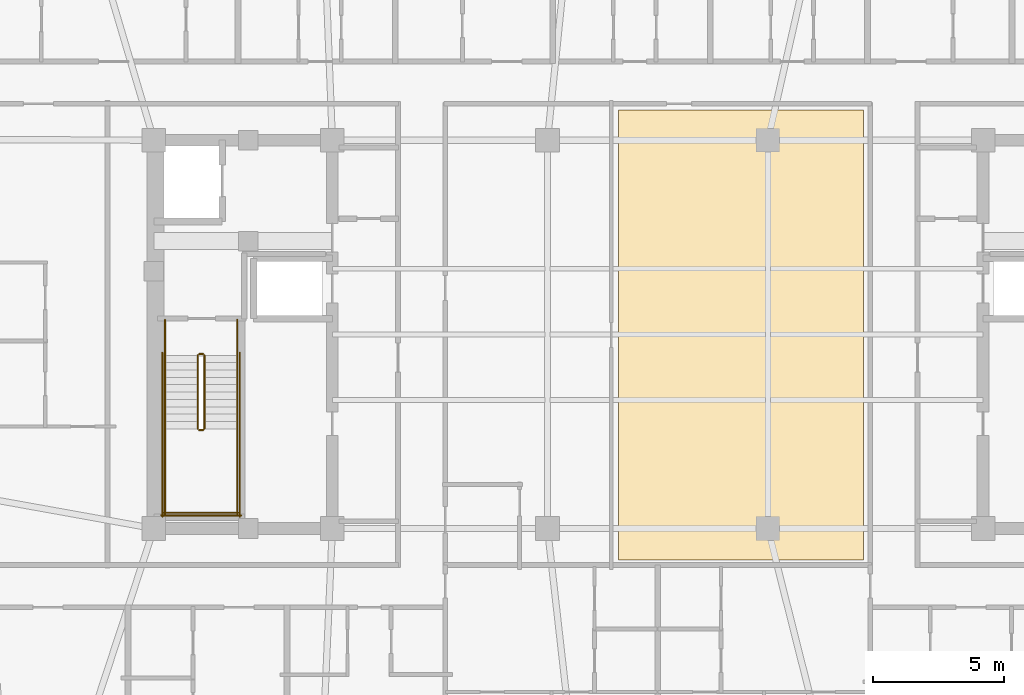
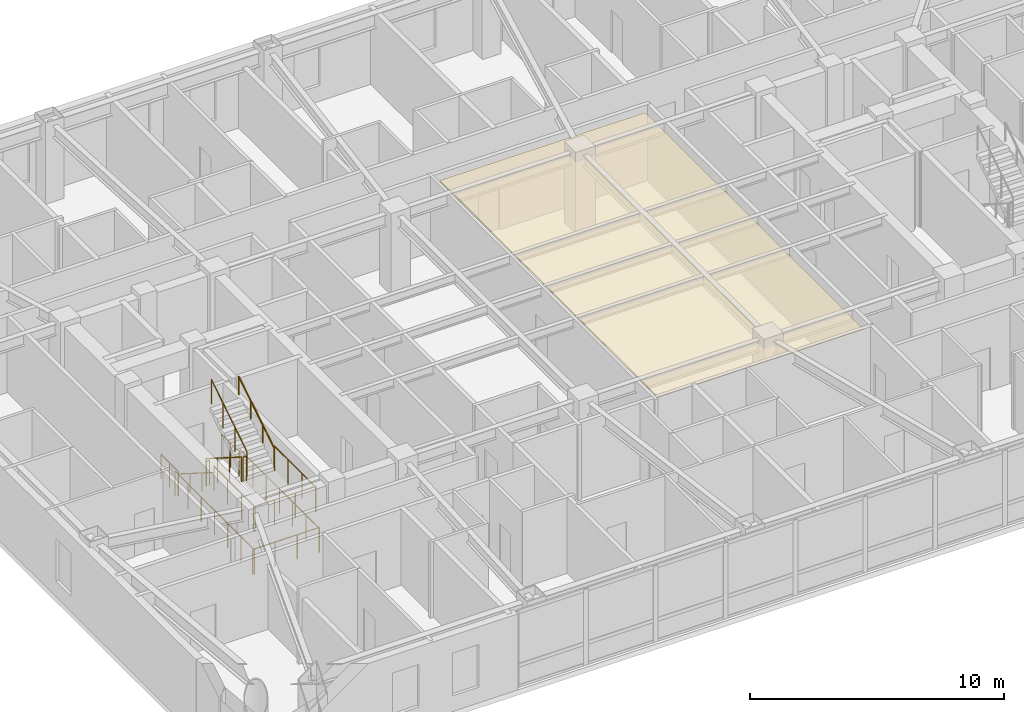
# One storey, part 15 of 16: 14 railings, 1 covering.
"""IFC4 building model written with IfcOpenShell, lengths in metres."""

from ifc_helpers import new_model, si_unit, direction, frame, origin, origin_2d, place, context, subcontext, project, spatial, polyline, circle, outline, extrude, material, layer, layer_set, type_object, element, save


model = new_model("IFC4")

# Units and contexts
model_context = context("Model", 3, precision=1e-05, world=origin(), true_north=direction((0.0, 1.0)))
body_context = subcontext(model_context, "Body", "Model", "MODEL_VIEW")
ifc_project = project(units=[si_unit("LENGTHUNIT", "METRE"), si_unit("AREAUNIT", "SQUARE_METRE"), si_unit("VOLUMEUNIT", "CUBIC_METRE"), si_unit("PLANEANGLEUNIT", "RADIAN"), si_unit("MASSUNIT", "GRAM", prefix="KILO")], contexts=[model_context])

# Site, building, storey
site_placement = place(None, origin())
site = spatial("IfcSite", under=ifc_project, at=site_placement, CompositionType="ELEMENT")
building_placement = place(site_placement, origin())
building = spatial("IfcBuilding", under=site, at=building_placement, Name="Voryun Gate Residences", CompositionType="ELEMENT")
storey_placement = place(building_placement, frame((0.0, 0.0, 208.0)))
storey = spatial("IfcBuildingStorey", under=building, at=storey_placement, Name="L51", CompositionType="ELEMENT", Elevation=208.0)

# Covering
ifc_material_1 = material(Name="Gypsum acoustic ceiling")
ifc_layer = layer(ifc_material_1, 0.02490234375, Name="COV_CEILING_ACOUSTIC")
ifc_layer_set = layer_set([ifc_layer], Name="Gypsum acoustic ceiling")
covering_type = type_object("IfcCoveringType", Name="COV_CEILING_ACOUSTIC", PredefinedType="CEILING", material=ifc_layer_set)
covering_placement = place(storey_placement, frame((0.0, 0.0, 3.39990234375)))
element("IfcCovering", 1, at=covering_placement, inside=storey, type_object=covering_type, Name="Acoustic ceiling CLG-L51-01", PredefinedType="CEILING", context=body_context, shape_type="SweptSolid", body=[
    extrude(outline(polyline([(-1.492919921875, -8.60009765625), (-1.492919921875, 8.550048828125), (7.840087890625, 8.550048828125), (7.840087890625, -8.60009765625), (-1.492919921875, -8.60009765625)])), origin(), (0.0, 0.0, 1.0), 0.025146484375),
])

# Railings
ifc_material_2 = material(Name="Painted steel", Category="steel")
railing_type_1 = type_object("IfcRailingType", Name="RAIL_STAIR_GUARD_1200", PredefinedType="GUARDRAIL", material=ifc_material_2)
railing_1_placement = place(storey_placement, frame((-17.52490234375, -0.800048828125, 0.17724609375)))
element("IfcRailing", 2, at=railing_1_placement, inside=storey, type_object=railing_type_1, Name="L51 ST-W1 stair guard 1", PredefinedType="GUARDRAIL", context=body_context, shape_type="SweptSolid", body=[
    extrude(circle(Radius=0.02392578125, at=origin_2d()), frame((0.0, 0.0, 1.17578125), z_axis=(0.0, -0.844908973607, 0.534910110503), x_axis=(1.0, 0.0, 0.0)), (0.0, 0.0, 1.0), 3.31396484375),
    extrude(circle(Radius=0.02099609375, at=origin_2d()), origin(), (0.0, 0.0, 1.0), 1.15185546875),
    extrude(circle(Radius=0.02099609375, at=origin_2d()), frame((0.0, -0.933349609375, 0.5908203125)), (0.0, 0.0, 1.0), 1.15185546875),
    extrude(circle(Radius=0.02099609375, at=origin_2d()), frame((0.0, -1.86669921875, 1.181884765625)), (0.0, 0.0, 1.0), 1.15185546875),
    extrude(circle(Radius=0.02099609375, at=origin_2d()), frame((0.0, -2.800048828125, 1.772705078125)), (0.0, 0.0, 1.0), 1.15185546875),
])
railing_2_placement = place(storey_placement, frame((-17.47509765625, -3.64990234375, 1.949951171875)))
element("IfcRailing", 3, at=railing_2_placement, inside=storey, type_object=railing_type_1, Name="L51 ST-W1 stair guard 2", PredefinedType="GUARDRAIL", context=body_context, shape_type="SweptSolid", body=[
    extrude(circle(Radius=0.02392578125, at=origin_2d()), frame((0.0, 0.0, 1.17578125), z_axis=(1.0, 0.0, 0.0), x_axis=(0.0, 1.0, 0.0)), (0.0, 0.0, 1.0), 0.150146484375),
    extrude(circle(Radius=0.02099609375, at=origin_2d()), origin(), (0.0, 0.0, 1.0), 1.15185546875),
    extrude(circle(Radius=0.02099609375, at=origin_2d()), frame((0.150146484375, 0.0, 0.0)), (0.0, 0.0, 1.0), 1.15185546875),
])
for number, where, name in (
    (4, (-18.77490234375, -3.60009765625, 1.949951171875), "L51 ST-W1 stair guard 3"),
    (5, (-16.02490234375, -3.60009765625, 1.949951171875), "L51 ST-W1 stair guard 4"),
):
    element("IfcRailing", number, at=place(storey_placement, frame(where)), inside=storey, type_object=railing_type_1, Name=name, PredefinedType="GUARDRAIL", context=body_context, shape_type="SweptSolid", body=[
        extrude(circle(Radius=0.02392578125, at=origin_2d()), frame((0.0, 0.0, 1.17578125), z_axis=(0.0, -1.0, 0.0), x_axis=(1.0, 0.0, 0.0)), (0.0, 0.0, 1.0), 3.25),
        extrude(circle(Radius=0.02099609375, at=origin_2d()), origin(), (0.0, 0.0, 1.0), 1.15185546875),
        extrude(circle(Radius=0.02099609375, at=origin_2d()), frame((0.0, -1.083251953125, 0.0)), (0.0, 0.0, 1.0), 1.15185546875),
        extrude(circle(Radius=0.02099609375, at=origin_2d()), frame((0.0, -2.166748046875, 0.0)), (0.0, 0.0, 1.0), 1.15185546875),
        extrude(circle(Radius=0.02099609375, at=origin_2d()), frame((0.0, -3.25, 0.0)), (0.0, 0.0, 1.0), 1.15185546875),
    ])
railing_3_placement = place(storey_placement, frame((-18.824951171875, -6.800048828125, 1.949951171875)))
element("IfcRailing", 6, at=railing_3_placement, inside=storey, type_object=railing_type_1, Name="L51 ST-W1 stair guard 5", PredefinedType="GUARDRAIL", context=body_context, shape_type="SweptSolid", body=[
    extrude(circle(Radius=0.02392578125, at=origin_2d()), frame((0.0, 0.0, 1.17578125), z_axis=(1.0, 0.0, 0.0), x_axis=(0.0, 1.0, 0.0)), (0.0, 0.0, 1.0), 2.849853515625),
    extrude(circle(Radius=0.02099609375, at=origin_2d()), origin(), (0.0, 0.0, 1.0), 1.15185546875),
    extrude(circle(Radius=0.02099609375, at=origin_2d()), frame((0.949951171875, 0.0, 0.0)), (0.0, 0.0, 1.0), 1.15185546875),
    extrude(circle(Radius=0.02099609375, at=origin_2d()), frame((1.89990234375, 0.0, 0.0)), (0.0, 0.0, 1.0), 1.15185546875),
    extrude(circle(Radius=0.02099609375, at=origin_2d()), frame((2.849853515625, 0.0, 0.0)), (0.0, 0.0, 1.0), 1.15185546875),
])
railing_4_placement = place(storey_placement, frame((-17.27490234375, -3.60009765625, 2.127197265625)))
element("IfcRailing", 7, at=railing_4_placement, inside=storey, type_object=railing_type_1, Name="L51 ST-W1 stair guard 6", PredefinedType="GUARDRAIL", context=body_context, shape_type="SweptSolid", body=[
    extrude(circle(Radius=0.02392578125, at=origin_2d()), frame((0.0, 0.0, 1.17578125), z_axis=(0.0, 0.844908973607, 0.534910110503), x_axis=(-1.0, 0.0, 0.0)), (0.0, 0.0, 1.0), 3.31396484375),
    extrude(circle(Radius=0.02099609375, at=origin_2d()), origin(), (0.0, 0.0, 1.0), 1.15185546875),
    extrude(circle(Radius=0.02099609375, at=origin_2d()), frame((0.0, 0.933349609375, 0.5908203125)), (0.0, 0.0, 1.0), 1.15185546875),
    extrude(circle(Radius=0.02099609375, at=origin_2d()), frame((0.0, 1.86669921875, 1.181884765625)), (0.0, 0.0, 1.0), 1.15185546875),
    extrude(circle(Radius=0.02099609375, at=origin_2d()), frame((0.0, 2.800048828125, 1.772705078125)), (0.0, 0.0, 1.0), 1.15185546875),
])
railing_5_placement = place(storey_placement, frame((-17.47509765625, -0.75, 0.0)))
element("IfcRailing", 8, at=railing_5_placement, inside=storey, type_object=railing_type_1, Name="L51 ST-W1 stair guard 7", PredefinedType="GUARDRAIL", context=body_context, shape_type="SweptSolid", body=[
    extrude(circle(Radius=0.02392578125, at=origin_2d()), frame((0.0, 0.0, 1.17578125), z_axis=(1.0, 0.0, 0.0), x_axis=(0.0, 1.0, 0.0)), (0.0, 0.0, 1.0), 0.150146484375),
    extrude(circle(Radius=0.02099609375, at=origin_2d()), origin(), (0.0, 0.0, 1.0), 1.15185546875),
    extrude(circle(Radius=0.02099609375, at=origin_2d()), frame((0.150146484375, 0.0, 0.0)), (0.0, 0.0, 1.0), 1.15185546875),
])
for number, where, name in (
    (9, (-18.77490234375, 0.550048828125, 0.0), "L51 ST-W1 stair guard 8"),
    (10, (-16.02490234375, 0.550048828125, 0.0), "L51 ST-W1 stair guard 9"),
):
    element("IfcRailing", number, at=place(storey_placement, frame(where)), inside=storey, type_object=railing_type_1, Name=name, PredefinedType="GUARDRAIL", context=body_context, shape_type="SweptSolid", body=[
        extrude(circle(Radius=0.02392578125, at=origin_2d()), frame((0.0, 0.0, 1.17578125), z_axis=(0.0, -1.0, 0.0), x_axis=(1.0, 0.0, 0.0)), (0.0, 0.0, 1.0), 1.35009765625),
        extrude(circle(Radius=0.02099609375, at=origin_2d()), origin(), (0.0, 0.0, 1.0), 1.15185546875),
        extrude(circle(Radius=0.02099609375, at=origin_2d()), frame((0.0, -0.675048828125, 0.0)), (0.0, 0.0, 1.0), 1.15185546875),
        extrude(circle(Radius=0.02099609375, at=origin_2d()), frame((0.0, -1.35009765625, 0.0)), (0.0, 0.0, 1.0), 1.15185546875),
    ])
for number, where, name in (
    (11, (-18.875, -0.699951171875, 0.0), "L51 ST-W1 stair guard 10"),
    (12, (-15.925048828125, -0.699951171875, 0.0), "L51 ST-W1 stair guard 11"),
):
    element("IfcRailing", number, at=place(storey_placement, frame(where)), inside=storey, type_object=railing_type_1, Name=name, PredefinedType="GUARDRAIL", context=body_context, shape_type="SweptSolid", body=[
        extrude(circle(Radius=0.02392578125, at=origin_2d()), frame((0.0, 0.0, 1.17578125), z_axis=(0.0, -1.0, 0.0), x_axis=(1.0, 0.0, 0.0)), (0.0, 0.0, 1.0), 6.25),
        extrude(circle(Radius=0.02099609375, at=origin_2d()), origin(), (0.0, 0.0, 1.0), 1.15185546875),
        extrude(circle(Radius=0.02099609375, at=origin_2d()), frame((0.0, -1.041748046875, 0.0)), (0.0, 0.0, 1.0), 1.15185546875),
        extrude(circle(Radius=0.02099609375, at=origin_2d()), frame((0.0, -2.083251953125, 0.0)), (0.0, 0.0, 1.0), 1.15185546875),
        extrude(circle(Radius=0.02099609375, at=origin_2d()), frame((0.0, -3.125, 0.0)), (0.0, 0.0, 1.0), 1.15185546875),
        extrude(circle(Radius=0.02099609375, at=origin_2d()), frame((0.0, -4.166748046875, 0.0)), (0.0, 0.0, 1.0), 1.15185546875),
        extrude(circle(Radius=0.02099609375, at=origin_2d()), frame((0.0, -5.208251953125, 0.0)), (0.0, 0.0, 1.0), 1.15185546875),
        extrude(circle(Radius=0.02099609375, at=origin_2d()), frame((0.0, -6.25, 0.0)), (0.0, 0.0, 1.0), 1.15185546875),
    ])
railing_6_placement = place(storey_placement, frame((-18.925048828125, -6.89990234375, 0.0)))
element("IfcRailing", 13, at=railing_6_placement, inside=storey, type_object=railing_type_1, Name="L51 ST-W1 stair guard 12", PredefinedType="GUARDRAIL", context=body_context, shape_type="SweptSolid", body=[
    extrude(circle(Radius=0.02392578125, at=origin_2d()), frame((0.0, 0.0, 1.17578125), z_axis=(1.0, 0.0, 0.0), x_axis=(0.0, 1.0, 0.0)), (0.0, 0.0, 1.0), 3.050048828125),
    extrude(circle(Radius=0.02099609375, at=origin_2d()), origin(), (0.0, 0.0, 1.0), 1.15185546875),
    extrude(circle(Radius=0.02099609375, at=origin_2d()), frame((1.0166015625, 0.0, 0.0)), (0.0, 0.0, 1.0), 1.15185546875),
    extrude(circle(Radius=0.02099609375, at=origin_2d()), frame((2.033447265625, 0.0, 0.0)), (0.0, 0.0, 1.0), 1.15185546875),
    extrude(circle(Radius=0.02099609375, at=origin_2d()), frame((3.050048828125, 0.0, 0.0)), (0.0, 0.0, 1.0), 1.15185546875),
])
ifc_material_3 = material(Name="Painted steel", Category="steel")
railing_type_2 = type_object("IfcRailingType", Name="RAIL_STAIR_HANDRAIL_900", PredefinedType="HANDRAIL", material=ifc_material_3)
railing_7_placement = place(storey_placement, frame((-18.77490234375, -0.800048828125, 0.17724609375)))
element("IfcRailing", 14, at=railing_7_placement, inside=storey, type_object=railing_type_2, Name="L51 ST-W1 stair handrail 1", PredefinedType="HANDRAIL", context=body_context, shape_type="SweptSolid", body=[
    extrude(circle(Radius=0.02392578125, at=origin_2d()), frame((0.0, 0.0, 0.8759765625), z_axis=(0.0, -0.844908973607, 0.534910110503), x_axis=(1.0, 0.0, 0.0)), (0.0, 0.0, 1.0), 3.31396484375),
    extrude(circle(Radius=0.02099609375, at=origin_2d()), origin(), (0.0, 0.0, 1.0), 0.851806640625),
    extrude(circle(Radius=0.02099609375, at=origin_2d()), frame((0.0, -0.933349609375, 0.5908203125)), (0.0, 0.0, 1.0), 0.851806640625),
    extrude(circle(Radius=0.02099609375, at=origin_2d()), frame((0.0, -1.86669921875, 1.181884765625)), (0.0, 0.0, 1.0), 0.851806640625),
    extrude(circle(Radius=0.02099609375, at=origin_2d()), frame((0.0, -2.800048828125, 1.772705078125)), (0.0, 0.0, 1.0), 0.851806640625),
])
railing_8_placement = place(storey_placement, frame((-16.02490234375, -3.60009765625, 2.127197265625)))
element("IfcRailing", 15, at=railing_8_placement, inside=storey, type_object=railing_type_2, Name="L51 ST-W1 stair handrail 2", PredefinedType="HANDRAIL", context=body_context, shape_type="SweptSolid", body=[
    extrude(circle(Radius=0.02392578125, at=origin_2d()), frame((0.0, 0.0, 0.8759765625), z_axis=(0.0, 0.844908973607, 0.534910110503), x_axis=(-1.0, 0.0, 0.0)), (0.0, 0.0, 1.0), 3.31396484375),
    extrude(circle(Radius=0.02099609375, at=origin_2d()), origin(), (0.0, 0.0, 1.0), 0.851806640625),
    extrude(circle(Radius=0.02099609375, at=origin_2d()), frame((0.0, 0.933349609375, 0.5908203125)), (0.0, 0.0, 1.0), 0.851806640625),
    extrude(circle(Radius=0.02099609375, at=origin_2d()), frame((0.0, 1.86669921875, 1.181884765625)), (0.0, 0.0, 1.0), 0.851806640625),
    extrude(circle(Radius=0.02099609375, at=origin_2d()), frame((0.0, 2.800048828125, 1.772705078125)), (0.0, 0.0, 1.0), 0.851806640625),
])

save(model, "model.ifc")
